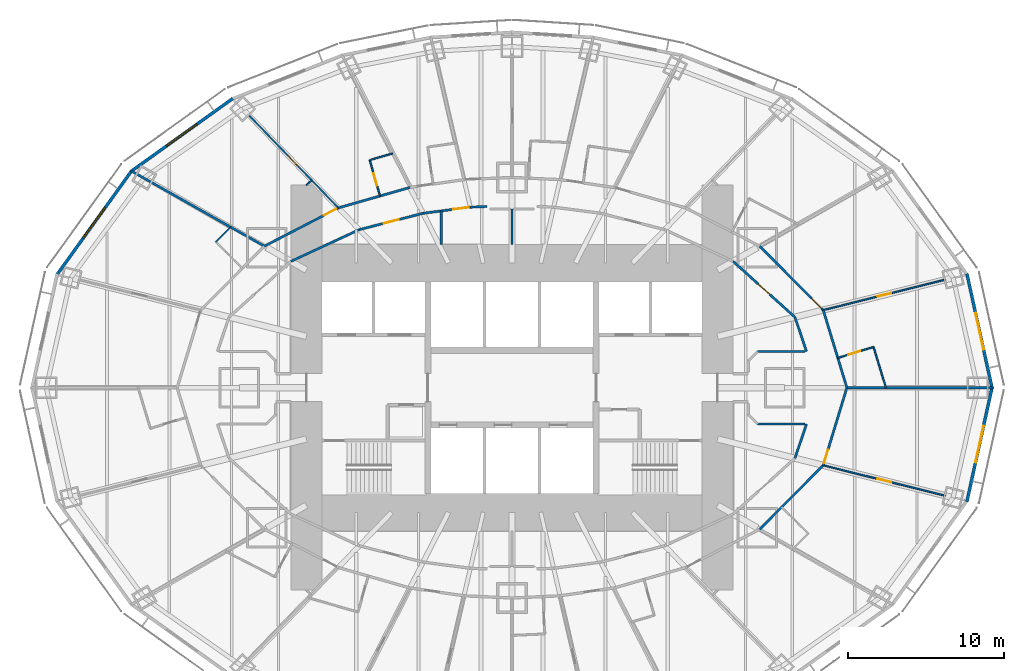
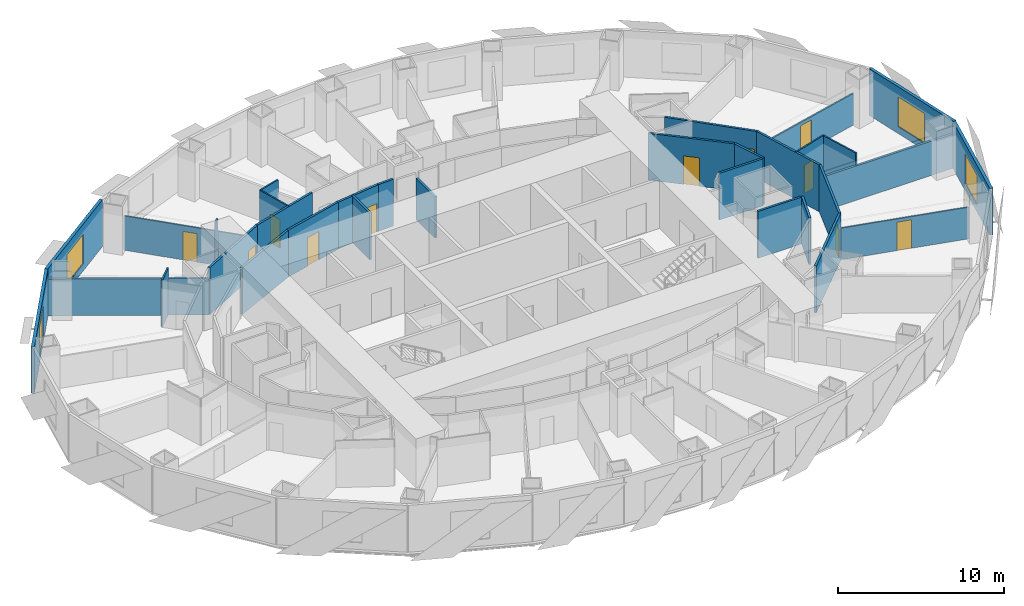
# One storey, part 8 of 15: 32 walls, 11 doors, 4 windows, 15 openings.
"""IFC4 building model written with IfcOpenShell, lengths in metres."""

from ifc_helpers import new_model, si_unit, direction, frame, frame_2d, origin, place, context, subcontext, project, spatial, rectangle, extrude, material, layer, layer_set, type_object, element, fill, save


model = new_model("IFC4")

# Units and contexts
model_context = context("Model", 3, precision=1e-05, world=origin(), true_north=direction((0.0, 1.0)))
body_context = subcontext(model_context, "Body", "Model", "MODEL_VIEW")
ifc_project = project(units=[si_unit("LENGTHUNIT", "METRE"), si_unit("AREAUNIT", "SQUARE_METRE"), si_unit("VOLUMEUNIT", "CUBIC_METRE"), si_unit("PLANEANGLEUNIT", "RADIAN"), si_unit("MASSUNIT", "GRAM", prefix="KILO")], contexts=[model_context])

# Site, building, storey
site_placement = place(None, origin())
site = spatial("IfcSite", under=ifc_project, at=site_placement, CompositionType="ELEMENT")
building_placement = place(site_placement, origin())
building = spatial("IfcBuilding", under=site, at=building_placement, Name="Lantaw Convention Tower", CompositionType="ELEMENT")
storey_placement = place(building_placement, frame((0.0, 0.0, 51.39990234375)))
storey = spatial("IfcBuildingStorey", under=building, at=storey_placement, Name="L10", CompositionType="ELEMENT", Elevation=51.39990234375)

# Wall
ifc_material_1 = material(Name="Gypsum board on steel studs", Category="steel")
ifc_layer_1 = layer(ifc_material_1, 0.14990234375)
ifc_layer_set_1 = layer_set([ifc_layer_1], Name="Back of house wall 150")
wall_type_1 = type_object("IfcWallType", Name="Back of house wall 150", PredefinedType="PARTITIONING", material=ifc_layer_set_1)
wall_1_placement = place(storey_placement, frame((0.0, 9.199951171875, 0.0), z_axis=(0.0, 0.0, 1.0), x_axis=(0.0, 1.0, 0.0)))
element("IfcWall", 1, at=wall_1_placement, inside=storey, type_object=wall_type_1, Name="Back of house wall 150", PredefinedType="PARTITIONING", context=body_context, shape_type="SweptSolid", body=[
    extrude(rectangle(XDim=2.26513671875, YDim=0.14990234375, at=frame_2d((1.132568359375, 0.0))), origin(), (0.0, 0.0, 1.0), 3.043701171875),
])

# Wall, opening, door
ifc_material_2 = material(Name="Moisture resistant gypsum board on steel studs", Category="steel")
ifc_layer_2 = layer(ifc_material_2, 0.10009765625)
ifc_layer_set_2 = layer_set([ifc_layer_2], Name="Bathroom wall 100")
wall_type_2 = type_object("IfcWallType", Name="Bathroom wall 100", PredefinedType="PARTITIONING", material=ifc_layer_set_2)
wall_2_placement = place(storey_placement, frame((20.917236328125, 1.9130859375, 0.0), z_axis=(0.0, 0.0, 1.0), x_axis=(0.956591303063, 0.291432803411, 0.0)))
wall_2 = element("IfcWall", 2, at=wall_2_placement, inside=storey, type_object=wall_type_2, Name="Bathroom wall 100", PredefinedType="PARTITIONING", context=body_context, shape_type="SweptSolid", body=[
    extrude(rectangle(XDim=2.400146484375, YDim=0.10009765625, at=frame_2d((1.2001953125, 0.0))), origin(), (0.0, 0.0, 1.0), 3.4501953125),
])
opening_1_placement = place(wall_2_placement, frame((0.699951171875, 0.0, 0.0)))
opening_1 = element("IfcOpeningElement", 3, at=opening_1_placement, cuts=wall_2, Name="Opening L10.25", PredefinedType="OPENING", context=body_context, shape_type="SweptSolid", body=[
    extrude(rectangle(XDim=0.800048828125, YDim=2.10009765625, at=frame_2d((0.39990234375, 1.050048828125))), frame((0.0, 0.06005859375, 0.0), z_axis=(0.0, -1.0, 0.0), x_axis=(1.0, 0.0, 0.0)), (0.0, 0.0, 1.0), 0.1201171875),
])
ifc_material_3 = material(Name="Timber", Category="wood")
door_type_1 = type_object("IfcDoorType", Name="Bathroom door 800", OperationType="SINGLE_SWING_LEFT", PredefinedType="DOOR", material=ifc_material_3)
door_1_placement = place(opening_1_placement, origin())
door_1 = element("IfcDoor", 4, at=door_1_placement, inside=storey, type_object=door_type_1, Name="Bathroom door", OperationType="SINGLE_SWING_LEFT", OverallHeight=2.10009765625, OverallWidth=0.800048828125, PredefinedType="DOOR", context=body_context, shape_type="SweptSolid", body=[
    extrude(rectangle(XDim=0.800048828125, YDim=2.10009765625, at=frame_2d((0.39990234375, 1.050048828125))), frame((0.0, 0.02490234375, 0.0), z_axis=(0.0, -1.0, 0.0), x_axis=(1.0, 0.0, 0.0)), (0.0, 0.0, 1.0), 0.050048828125),
])
fill(opening_1, door_1)

# Wall
wall_3_placement = place(storey_placement, frame((23.213134765625, 2.612548828125, 0.0), z_axis=(0.0, 0.0, 1.0), x_axis=(0.291339473488, -0.956619731757, 0.0)))
element("IfcWall", 5, at=wall_3_placement, inside=storey, type_object=wall_type_2, Name="Bathroom wall 100", PredefinedType="PARTITIONING", context=body_context, shape_type="SweptSolid", body=[
    extrude(rectangle(XDim=2.73095703125, YDim=0.10009765625, at=frame_2d((1.365478515625, 0.0))), origin(), (0.0, 0.0, 1.0), 3.4501953125),
])

# Wall, opening, door
wall_4_placement = place(storey_placement, frame((-8.474365234375, 12.30810546875, 0.0), z_axis=(0.0, 0.0, 1.0), x_axis=(-0.27497640313, 0.961450975205, 0.0)))
wall_4 = element("IfcWall", 6, at=wall_4_placement, inside=storey, type_object=wall_type_2, Name="Bathroom wall 100", PredefinedType="PARTITIONING", context=body_context, shape_type="SweptSolid", body=[
    extrude(rectangle(XDim=2.39990234375, YDim=0.10009765625, at=frame_2d((1.199951171875, 0.0))), origin(), (0.0, 0.0, 1.0), 3.4501953125),
])
opening_2_placement = place(wall_4_placement, frame((0.699951171875, 0.0, 0.0)))
opening_2 = element("IfcOpeningElement", 7, at=opening_2_placement, cuts=wall_4, Name="Opening L10.38", PredefinedType="OPENING", context=body_context, shape_type="SweptSolid", body=[
    extrude(rectangle(XDim=0.800048828125, YDim=2.10009765625, at=frame_2d((0.39990234375, 1.050048828125))), frame((0.0, 0.06005859375, 0.0), z_axis=(0.0, -1.0, 0.0), x_axis=(1.0, 0.0, 0.0)), (0.0, 0.0, 1.0), 0.1201171875),
])
door_2_placement = place(opening_2_placement, origin())
door_2 = element("IfcDoor", 8, at=door_2_placement, inside=storey, type_object=door_type_1, Name="Bathroom door", OperationType="SINGLE_SWING_LEFT", OverallHeight=2.10009765625, OverallWidth=0.800048828125, PredefinedType="DOOR", context=body_context, shape_type="SweptSolid", body=[
    extrude(rectangle(XDim=0.800048828125, YDim=2.10009765625, at=frame_2d((0.39990234375, 1.050048828125))), frame((0.0, 0.02490234375, 0.0), z_axis=(0.0, -1.0, 0.0), x_axis=(1.0, 0.0, 0.0)), (0.0, 0.0, 1.0), 0.050048828125),
])
fill(opening_2, door_2)

# Walls
wall_5_placement = place(storey_placement, frame((-9.13427734375, 14.615478515625, 0.0), z_axis=(0.0, 0.0, 1.0), x_axis=(0.96145775668, 0.274952690695, 0.0)))
element("IfcWall", 9, at=wall_5_placement, inside=storey, type_object=wall_type_2, Name="Bathroom wall 100", PredefinedType="PARTITIONING", context=body_context, shape_type="SweptSolid", body=[
    extrude(rectangle(XDim=1.53173828125, YDim=0.10009765625, at=frame_2d((0.765869140625, 0.0))), origin(), (0.0, 0.0, 1.0), 3.4501953125),
])
wall_6_placement = place(storey_placement, frame((-19.01318359375, 9.3603515625, 0.0), z_axis=(0.0, 0.0, 1.0), x_axis=(0.7051187611, 0.709089227633, 0.0)))
element("IfcWall", 10, at=wall_6_placement, inside=storey, type_object=wall_type_2, Name="Bathroom wall 100", PredefinedType="PARTITIONING", context=body_context, shape_type="SweptSolid", body=[
    extrude(rectangle(XDim=1.352783203125, YDim=0.10009765625, at=frame_2d((0.67626953125, 0.0))), origin(), (0.0, 0.0, 1.0), 3.4501953125),
])
ifc_material_4 = material(Name="Gypsum board on steel studs, fire rated", Category="steel")
ifc_layer_3 = layer(ifc_material_4, 0.14990234375)
ifc_layer_set_3 = layer_set([ifc_layer_3], Name="Corridor wall 150 EI 60")
wall_type_3 = type_object("IfcWallType", Name="Corridor wall 150 EI 60", PredefinedType="PARTITIONING", material=ifc_layer_set_3)
wall_7_placement = place(storey_placement, frame((21.5, 0.0, 0.0), z_axis=(0.0, 0.0, 1.0), x_axis=(-0.291383581394, 0.95660629754, 0.0)))
element("IfcWall", 11, at=wall_7_placement, inside=storey, type_object=wall_type_3, Name="Corridor wall 150", PredefinedType="PARTITIONING", context=body_context, shape_type="SweptSolid", body=[
    extrude(rectangle(XDim=5.208251953125, YDim=0.14990234375, at=frame_2d((2.60400390625, 0.0))), origin(), (0.0, 0.0, 1.0), 3.4501953125),
])

# Wall, opening, door
wall_8_placement = place(storey_placement, frame((19.982421875, 4.982177734375, 0.0), z_axis=(0.0, 0.0, 1.0), x_axis=(-0.705121546414, 0.709086457904, 0.0)))
wall_8 = element("IfcWall", 12, at=wall_8_placement, inside=storey, type_object=wall_type_3, Name="Corridor wall 150", PredefinedType="PARTITIONING", context=body_context, shape_type="SweptSolid", body=[
    extrude(rectangle(XDim=5.7880859375, YDim=0.14990234375, at=frame_2d((2.89404296875, 0.0))), origin(), (0.0, 0.0, 1.0), 3.4501953125),
])
opening_3_placement = place(wall_8_placement, frame((0.14990234375, 0.0, 0.0)))
opening_3 = element("IfcOpeningElement", 13, at=opening_3_placement, cuts=wall_8, Name="Opening L10.27", PredefinedType="OPENING", context=body_context, shape_type="SweptSolid", body=[
    extrude(rectangle(XDim=0.89990234375, YDim=2.10009765625, at=frame_2d((0.449951171875, 1.050048828125))), frame((0.0, 0.0849609375, 0.0), z_axis=(0.0, -1.0, 0.0), x_axis=(1.0, 0.0, 0.0)), (0.0, 0.0, 1.0), 0.169921875),
])
ifc_material_5 = material(Name="Steel, fire rated", Category="steel")
door_type_2 = type_object("IfcDoorType", Name="Guest room entrance door FD30S", OperationType="SINGLE_SWING_LEFT", PredefinedType="DOOR", material=ifc_material_5)
door_3_placement = place(opening_3_placement, origin())
door_3 = element("IfcDoor", 14, at=door_3_placement, inside=storey, type_object=door_type_2, Name="Suite entrance door", OperationType="SINGLE_SWING_LEFT", OverallHeight=2.10009765625, OverallWidth=0.89990234375, PredefinedType="DOOR", context=body_context, shape_type="SweptSolid", body=[
    extrude(rectangle(XDim=0.89990234375, YDim=2.10009765625, at=frame_2d((0.449951171875, 1.050048828125))), frame((0.0, 0.02490234375, 0.0), z_axis=(0.0, -1.0, 0.0), x_axis=(1.0, 0.0, 0.0)), (0.0, 0.0, 1.0), 0.050048828125),
])
fill(opening_3, door_3)

# Wall
wall_9_placement = place(storey_placement, frame((-6.551513671875, 12.85791015625, 0.0), z_axis=(0.0, 0.0, 1.0), x_axis=(-0.961464178199, -0.27493023486, 0.0)))
element("IfcWall", 15, at=wall_9_placement, inside=storey, type_object=wall_type_3, Name="Corridor wall 150", PredefinedType="PARTITIONING", context=body_context, shape_type="SweptSolid", body=[
    extrude(rectangle(XDim=4.7802734375, YDim=0.14990234375, at=frame_2d((2.39013671875, 0.0))), origin(), (0.0, 0.0, 1.0), 3.4501953125),
])

# Wall, opening, door
wall_10_placement = place(storey_placement, frame((-11.1474609375, 11.543701171875, 0.0), z_axis=(0.0, 0.0, 1.0), x_axis=(-0.888333171507, -0.459199495209, 0.0)))
wall_10 = element("IfcWall", 16, at=wall_10_placement, inside=storey, type_object=wall_type_3, Name="Corridor wall 150", PredefinedType="PARTITIONING", context=body_context, shape_type="SweptSolid", body=[
    extrude(rectangle(XDim=5.351318359375, YDim=0.14990234375, at=frame_2d((2.67578125, 0.0))), origin(), (0.0, 0.0, 1.0), 3.4501953125),
])
opening_4_placement = place(wall_10_placement, frame((0.14990234375, 0.0, 0.0)))
opening_4 = element("IfcOpeningElement", 17, at=opening_4_placement, cuts=wall_10, Name="Opening L10.40", PredefinedType="OPENING", context=body_context, shape_type="SweptSolid", body=[
    extrude(rectangle(XDim=0.89990234375, YDim=2.10009765625, at=frame_2d((0.449951171875, 1.050048828125))), frame((0.0, 0.0849609375, 0.0), z_axis=(0.0, -1.0, 0.0), x_axis=(1.0, 0.0, 0.0)), (0.0, 0.0, 1.0), 0.169921875),
])
door_4_placement = place(opening_4_placement, origin())
door_4 = element("IfcDoor", 18, at=door_4_placement, inside=storey, type_object=door_type_2, Name="Suite entrance door", OperationType="SINGLE_SWING_LEFT", OverallHeight=2.10009765625, OverallWidth=0.89990234375, PredefinedType="DOOR", context=body_context, shape_type="SweptSolid", body=[
    extrude(rectangle(XDim=0.89990234375, YDim=2.10009765625, at=frame_2d((0.449951171875, 1.050048828125))), frame((0.0, 0.02490234375, 0.0), z_axis=(0.0, -1.0, 0.0), x_axis=(1.0, 0.0, 0.0)), (0.0, 0.0, 1.0), 0.050048828125),
])
fill(opening_4, door_4)

# Wall
wall_11_placement = place(storey_placement, frame((15.901123046875, -9.08642578125, 0.0), z_axis=(0.0, 0.0, 1.0), x_axis=(0.705121546414, 0.709086457904, 0.0)))
element("IfcWall", 19, at=wall_11_placement, inside=storey, type_object=wall_type_3, Name="Corridor wall 150", PredefinedType="PARTITIONING", context=body_context, shape_type="SweptSolid", body=[
    extrude(rectangle(XDim=5.7880859375, YDim=0.14990234375, at=frame_2d((2.89404296875, 0.0))), origin(), (0.0, 0.0, 1.0), 3.4501953125),
])

# Wall, opening, door
wall_12_placement = place(storey_placement, frame((19.982421875, -4.982177734375, 0.0), z_axis=(0.0, 0.0, 1.0), x_axis=(0.291383581394, 0.95660629754, 0.0)))
wall_12 = element("IfcWall", 20, at=wall_12_placement, inside=storey, type_object=wall_type_3, Name="Corridor wall 150", PredefinedType="PARTITIONING", context=body_context, shape_type="SweptSolid", body=[
    extrude(rectangle(XDim=5.208251953125, YDim=0.14990234375, at=frame_2d((2.60400390625, 0.0))), origin(), (0.0, 0.0, 1.0), 3.4501953125),
])
opening_5_placement = place(wall_12_placement, frame((0.14990234375, 0.0, 0.0)))
opening_5 = element("IfcOpeningElement", 21, at=opening_5_placement, cuts=wall_12, Name="Opening L10.61", PredefinedType="OPENING", context=body_context, shape_type="SweptSolid", body=[
    extrude(rectangle(XDim=0.89990234375, YDim=2.10009765625, at=frame_2d((0.449951171875, 1.050048828125))), frame((0.0, 0.0849609375, 0.0), z_axis=(0.0, -1.0, 0.0), x_axis=(1.0, 0.0, 0.0)), (0.0, 0.0, 1.0), 0.169921875),
])
door_5_placement = place(opening_5_placement, origin())
door_5 = element("IfcDoor", 22, at=door_5_placement, inside=storey, type_object=door_type_2, Name="Suite entrance door", OperationType="SINGLE_SWING_LEFT", OverallHeight=2.10009765625, OverallWidth=0.89990234375, PredefinedType="DOOR", context=body_context, shape_type="SweptSolid", body=[
    extrude(rectangle(XDim=0.89990234375, YDim=2.10009765625, at=frame_2d((0.449951171875, 1.050048828125))), frame((0.0, 0.02490234375, 0.0), z_axis=(0.0, -1.0, 0.0), x_axis=(1.0, 0.0, 0.0)), (0.0, 0.0, 1.0), 0.050048828125),
])
fill(opening_5, door_5)

wall_13_placement = place(storey_placement, frame((18.164306640625, 4.52880859375, 0.0), z_axis=(0.0, 0.0, 1.0), x_axis=(-0.742194222, 0.670184852731, 0.0)))
wall_13 = element("IfcWall", 23, at=wall_13_placement, inside=storey, type_object=wall_type_3, Name="Corridor wall 150", PredefinedType="PARTITIONING", context=body_context, shape_type="SweptSolid", body=[
    extrude(rectangle(XDim=5.3466796875, YDim=0.14990234375, at=frame_2d((2.67333984375, 0.0))), origin(), (0.0, 0.0, 1.0), 3.4501953125),
])
opening_6_placement = place(wall_13_placement, frame((2.17333984375, 0.0, 0.0)))
opening_6 = element("IfcOpeningElement", 24, at=opening_6_placement, cuts=wall_13, Name="Opening L10.16", PredefinedType="OPENING", context=body_context, shape_type="SweptSolid", body=[
    extrude(rectangle(XDim=1.0, YDim=2.10009765625, at=frame_2d((0.5, 1.050048828125))), frame((0.0, 0.0849609375, 0.0), z_axis=(0.0, -1.0, 0.0), x_axis=(1.0, 0.0, 0.0)), (0.0, 0.0, 1.0), 0.169921875),
])
door_type_3 = type_object("IfcDoorType", Name="Service door 1000 FD30", OperationType="SINGLE_SWING_LEFT", PredefinedType="DOOR", material=ifc_material_5)
door_6_placement = place(opening_6_placement, origin())
door_6 = element("IfcDoor", 25, at=door_6_placement, inside=storey, type_object=door_type_3, Name="Linen store door", OperationType="SINGLE_SWING_LEFT", OverallHeight=2.10009765625, OverallWidth=1.0, PredefinedType="DOOR", context=body_context, shape_type="SweptSolid", body=[
    extrude(rectangle(XDim=1.0, YDim=2.10009765625, at=frame_2d((0.5, 1.050048828125))), frame((0.0, 0.02490234375, 0.0), z_axis=(0.0, -1.0, 0.0), x_axis=(1.0, 0.0, 0.0)), (0.0, 0.0, 1.0), 0.050048828125),
])
fill(opening_6, door_6)

wall_14_placement = place(storey_placement, frame((-2.676025390625, 11.591552734375, 0.0), z_axis=(0.0, 0.0, 1.0), x_axis=(-0.99168929531, -0.128655903743, 0.0)))
wall_14 = element("IfcWall", 26, at=wall_14_placement, inside=storey, type_object=wall_type_3, Name="Corridor wall 150", PredefinedType="PARTITIONING", context=body_context, shape_type="SweptSolid", body=[
    extrude(rectangle(XDim=3.05517578125, YDim=0.14990234375, at=frame_2d((1.527587890625, 0.0))), origin(), (0.0, 0.0, 1.0), 3.4501953125),
])
opening_7_placement = place(wall_14_placement, frame((0.10009765625, 0.0, 0.0)))
opening_7 = element("IfcOpeningElement", 27, at=opening_7_placement, cuts=wall_14, Name="Opening L10.19", PredefinedType="OPENING", context=body_context, shape_type="SweptSolid", body=[
    extrude(rectangle(XDim=1.0, YDim=2.10009765625, at=frame_2d((0.5, 1.050048828125))), frame((0.0, 0.0849609375, 0.0), z_axis=(0.0, -1.0, 0.0), x_axis=(1.0, 0.0, 0.0)), (0.0, 0.0, 1.0), 0.169921875),
])
door_type_4 = type_object("IfcDoorType", Name="Accessible WC door 1000 FD30", OperationType="SINGLE_SWING_LEFT", PredefinedType="DOOR", material=ifc_material_5)
door_7_placement = place(opening_7_placement, origin())
door_7 = element("IfcDoor", 28, at=door_7_placement, inside=storey, type_object=door_type_4, Name="Accessible WC door", OperationType="SINGLE_SWING_LEFT", OverallHeight=2.10009765625, OverallWidth=1.0, PredefinedType="DOOR", context=body_context, shape_type="SweptSolid", body=[
    extrude(rectangle(XDim=1.0, YDim=2.10009765625, at=frame_2d((0.5, 1.050048828125))), frame((0.0, 0.02490234375, 0.0), z_axis=(0.0, -1.0, 0.0), x_axis=(1.0, 0.0, 0.0)), (0.0, 0.0, 1.0), 0.050048828125),
])
fill(opening_7, door_7)

wall_15_placement = place(storey_placement, frame((-5.705810546875, 11.198486328125, 0.0), z_axis=(0.0, 0.0, 1.0), x_axis=(-0.968705891355, -0.248211393886, 0.0)))
wall_15 = element("IfcWall", 29, at=wall_15_placement, inside=storey, type_object=wall_type_3, Name="Corridor wall 150", PredefinedType="PARTITIONING", context=body_context, shape_type="SweptSolid", body=[
    extrude(rectangle(XDim=4.2275390625, YDim=0.14990234375, at=frame_2d((2.11376953125, 0.0))), origin(), (0.0, 0.0, 1.0), 3.4501953125),
])
opening_8_placement = place(wall_15_placement, frame((1.61376953125, 0.0, 0.0)))
opening_8 = element("IfcOpeningElement", 30, at=opening_8_placement, cuts=wall_15, Name="Opening L10.20", PredefinedType="OPENING", context=body_context, shape_type="SweptSolid", body=[
    extrude(rectangle(XDim=1.0, YDim=2.10009765625, at=frame_2d((0.5, 1.050048828125))), frame((0.0, 0.0849609375, 0.0), z_axis=(0.0, -1.0, 0.0), x_axis=(1.0, 0.0, 0.0)), (0.0, 0.0, 1.0), 0.169921875),
])
door_8_placement = place(opening_8_placement, origin())
door_8 = element("IfcDoor", 31, at=door_8_placement, inside=storey, type_object=door_type_3, Name="Housekeeping room door", OperationType="SINGLE_SWING_LEFT", OverallHeight=2.10009765625, OverallWidth=1.0, PredefinedType="DOOR", context=body_context, shape_type="SweptSolid", body=[
    extrude(rectangle(XDim=1.0, YDim=2.10009765625, at=frame_2d((0.5, 1.050048828125))), frame((0.0, 0.02490234375, 0.0), z_axis=(0.0, -1.0, 0.0), x_axis=(1.0, 0.0, 0.0)), (0.0, 0.0, 1.0), 0.050048828125),
])
fill(opening_8, door_8)

# Walls
wall_16_placement = place(storey_placement, frame((-9.801025390625, 10.149169921875, 0.0), z_axis=(0.0, 0.0, 1.0), x_axis=(-0.907279653965, -0.420527798727, 0.0)))
element("IfcWall", 32, at=wall_16_placement, inside=storey, type_object=wall_type_3, Name="Corridor wall 150", PredefinedType="PARTITIONING", context=body_context, shape_type="SweptSolid", body=[
    extrude(rectangle(XDim=4.84423828125, YDim=0.14990234375, at=frame_2d((2.422119140625, 0.0))), origin(), (0.0, 0.0, 1.0), 3.4501953125),
])
wall_17_placement = place(storey_placement, frame((-1.598876953125, 11.63525390625, 0.0), z_axis=(0.0, 0.0, 1.0), x_axis=(-0.999178004727, -0.040537820228, 0.0)))
element("IfcWall", 33, at=wall_17_placement, inside=storey, type_object=wall_type_3, Name="Corridor wall 150", PredefinedType="PARTITIONING", context=body_context, shape_type="SweptSolid", body=[
    extrude(rectangle(XDim=1.078125, YDim=0.14990234375, at=frame_2d((0.5390625, 0.0))), origin(), (0.0, 0.0, 1.0), 3.4501953125),
])
for number, where, z_axis, x_axis, name in (
    (34, (18.908203125, 2.3349609375, 0.0), (0.0, 0.0, 1.0), (-0.321124194945, 0.947037090837, 0.0), "Corridor wall 150"),
    (35, (18.164306640625, -4.52880859375, 0.0), (0.0, 0.0, 1.0), (0.321124194945, 0.947037090837, 0.0), "Corridor wall 150"),
):
    element("IfcWall", number, at=place(storey_placement, frame(where, z_axis=z_axis, x_axis=x_axis)), inside=storey, type_object=wall_type_3, Name=name, PredefinedType="PARTITIONING", context=body_context, shape_type="SweptSolid", body=[
        extrude(rectangle(XDim=2.316650390625, YDim=0.14990234375, at=frame_2d((1.158203125, 0.0))), origin(), (0.0, 0.0, 1.0), 3.4501953125),
    ])
for number, where, z_axis, x_axis, name in (
    (36, (15.775390625, 2.324951171875, 0.0), (0.0, 0.0, 1.0), (1.0, 0.0, 0.0), "Corridor wall 150"),
    (37, (18.80078125, -2.324951171875, 0.0), (0.0, 0.0, 1.0), (-1.0, 0.0, 0.0), "Corridor wall 150"),
):
    element("IfcWall", number, at=place(storey_placement, frame(where, z_axis=z_axis, x_axis=x_axis)), inside=storey, type_object=wall_type_3, Name=name, PredefinedType="PARTITIONING", context=body_context, shape_type="SweptSolid", body=[
        extrude(rectangle(XDim=3.025390625, YDim=0.14990234375, at=frame_2d((1.5126953125, 0.0))), origin(), (0.0, 0.0, 1.0), 3.4501953125),
    ])

# Wall, opening, window
ifc_material_6 = material(Name="Insulated aluminium panel on steel frame", Category="steel")
ifc_layer_4 = layer(ifc_material_6, 0.199951171875)
ifc_layer_set_4 = layer_set([ifc_layer_4], Name="External wall 200")
wall_type_4 = type_object("IfcWallType", Name="External wall 200", PredefinedType="SOLIDWALL", material=ifc_layer_set_4)
wall_18_placement = place(storey_placement, frame((30.83544921875, -0.06689453125, 0.0), z_axis=(0.0, 0.0, 1.0), x_axis=(-0.215238065514, 0.976561608478, 0.0)))
wall_18 = element("IfcWall", 38, at=wall_18_placement, inside=storey, type_object=wall_type_4, Name="Facade panel wall", PredefinedType="SOLIDWALL", context=body_context, shape_type="SweptSolid", body=[
    extrude(rectangle(XDim=7.562255859375, YDim=0.199951171875, at=frame_2d((3.78125, 0.0))), origin(), (0.0, 0.0, 1.0), 3.4501953125),
])
opening_9_placement = place(wall_18_placement, frame((2.581298828125, 0.0, 0.5)))
opening_9 = element("IfcOpeningElement", 39, at=opening_9_placement, cuts=wall_18, Name="Opening W1", PredefinedType="OPENING", context=body_context, shape_type="SweptSolid", body=[
    extrude(rectangle(XDim=2.39990234375, YDim=2.199951171875, at=frame_2d((1.199951171875, 1.10009765625))), frame((0.0, 0.10986328125, 0.0), z_axis=(0.0, -1.0, 0.0), x_axis=(1.0, 0.0, 0.0)), (0.0, 0.0, 1.0), 0.219970703125),
])
ifc_material_7 = material(Name="Aluminium frame, clear insulating glass", Category="aluminium")
window_type = type_object("IfcWindowType", Name="Guest room window 2400x2200", PartitioningType="SINGLE_PANEL", PredefinedType="WINDOW", material=ifc_material_7)
window_1_placement = place(opening_9_placement, origin())
window_1 = element("IfcWindow", 40, at=window_1_placement, inside=storey, type_object=window_type, Name="Guest room window", OverallHeight=2.199951171875, OverallWidth=2.39990234375, PartitioningType="SINGLE_PANEL", PredefinedType="WINDOW", context=body_context, shape_type="SweptSolid", body=[
    extrude(rectangle(XDim=2.39990234375, YDim=2.199951171875, at=frame_2d((1.199951171875, 1.10009765625))), frame((0.0, 0.030029296875, 0.0), z_axis=(0.0, -1.0, 0.0), x_axis=(1.0, 0.0, 0.0)), (0.0, 0.0, 1.0), 0.06005859375),
])
fill(opening_9, window_1)

wall_19_placement = place(storey_placement, frame((-17.9287109375, 18.57177734375, 0.0), z_axis=(0.0, 0.0, 1.0), x_axis=(-0.812791321576, -0.582554948112, 0.0)))
wall_19 = element("IfcWall", 41, at=wall_19_placement, inside=storey, type_object=wall_type_4, Name="Facade panel wall", PredefinedType="SOLIDWALL", context=body_context, shape_type="SweptSolid", body=[
    extrude(rectangle(XDim=8.063232421875, YDim=0.199951171875, at=frame_2d((4.03173828125, 0.0))), origin(), (0.0, 0.0, 1.0), 3.4501953125),
])
opening_10_placement = place(wall_19_placement, frame((2.83154296875, 0.0, 0.5)))
opening_10 = element("IfcOpeningElement", 42, at=opening_10_placement, cuts=wall_19, Name="Opening W1", PredefinedType="OPENING", context=body_context, shape_type="SweptSolid", body=[
    extrude(rectangle(XDim=2.39990234375, YDim=2.199951171875, at=frame_2d((1.199951171875, 1.10009765625))), frame((0.0, 0.10986328125, 0.0), z_axis=(0.0, -1.0, 0.0), x_axis=(1.0, 0.0, 0.0)), (0.0, 0.0, 1.0), 0.219970703125),
])
window_2_placement = place(opening_10_placement, origin())
window_2 = element("IfcWindow", 43, at=window_2_placement, inside=storey, type_object=window_type, Name="Guest room window", OverallHeight=2.199951171875, OverallWidth=2.39990234375, PartitioningType="SINGLE_PANEL", PredefinedType="WINDOW", context=body_context, shape_type="SweptSolid", body=[
    extrude(rectangle(XDim=2.39990234375, YDim=2.199951171875, at=frame_2d((1.199951171875, 1.10009765625))), frame((0.0, 0.030029296875, 0.0), z_axis=(0.0, -1.0, 0.0), x_axis=(1.0, 0.0, 0.0)), (0.0, 0.0, 1.0), 0.06005859375),
])
fill(opening_10, window_2)

wall_20_placement = place(storey_placement, frame((-24.400390625, 13.95654296875, 0.0), z_axis=(0.0, 0.0, 1.0), x_axis=(-0.583937613703, -0.811798536155, 0.0)))
wall_20 = element("IfcWall", 44, at=wall_20_placement, inside=storey, type_object=wall_type_4, Name="Facade panel wall", PredefinedType="SOLIDWALL", context=body_context, shape_type="SweptSolid", body=[
    extrude(rectangle(XDim=8.322998046875, YDim=0.199951171875, at=frame_2d((4.16162109375, 0.0))), origin(), (0.0, 0.0, 1.0), 3.4501953125),
])
opening_11_placement = place(wall_20_placement, frame((2.96142578125, 0.0, 0.5)))
opening_11 = element("IfcOpeningElement", 45, at=opening_11_placement, cuts=wall_20, Name="Opening W1", PredefinedType="OPENING", context=body_context, shape_type="SweptSolid", body=[
    extrude(rectangle(XDim=2.39990234375, YDim=2.199951171875, at=frame_2d((1.199951171875, 1.10009765625))), frame((0.0, 0.10986328125, 0.0), z_axis=(0.0, -1.0, 0.0), x_axis=(1.0, 0.0, 0.0)), (0.0, 0.0, 1.0), 0.219970703125),
])
window_3_placement = place(opening_11_placement, origin())
window_3 = element("IfcWindow", 46, at=window_3_placement, inside=storey, type_object=window_type, Name="Guest room window", OverallHeight=2.199951171875, OverallWidth=2.39990234375, PartitioningType="SINGLE_PANEL", PredefinedType="WINDOW", context=body_context, shape_type="SweptSolid", body=[
    extrude(rectangle(XDim=2.39990234375, YDim=2.199951171875, at=frame_2d((1.199951171875, 1.10009765625))), frame((0.0, 0.030029296875, 0.0), z_axis=(0.0, -1.0, 0.0), x_axis=(1.0, 0.0, 0.0)), (0.0, 0.0, 1.0), 0.06005859375),
])
fill(opening_11, window_3)

wall_21_placement = place(storey_placement, frame((29.207763671875, -7.318115234375, 0.0), z_axis=(0.0, 0.0, 1.0), x_axis=(0.215238065514, 0.976561608478, 0.0)))
wall_21 = element("IfcWall", 47, at=wall_21_placement, inside=storey, type_object=wall_type_4, Name="Facade panel wall", PredefinedType="SOLIDWALL", context=body_context, shape_type="SweptSolid", body=[
    extrude(rectangle(XDim=7.562255859375, YDim=0.199951171875, at=frame_2d((3.78125, 0.0))), origin(), (0.0, 0.0, 1.0), 3.4501953125),
])
opening_12_placement = place(wall_21_placement, frame((2.581298828125, 0.0, 0.5)))
opening_12 = element("IfcOpeningElement", 48, at=opening_12_placement, cuts=wall_21, Name="Opening W1", PredefinedType="OPENING", context=body_context, shape_type="SweptSolid", body=[
    extrude(rectangle(XDim=2.39990234375, YDim=2.199951171875, at=frame_2d((1.199951171875, 1.10009765625))), frame((0.0, 0.10986328125, 0.0), z_axis=(0.0, -1.0, 0.0), x_axis=(1.0, 0.0, 0.0)), (0.0, 0.0, 1.0), 0.219970703125),
])
window_4_placement = place(opening_12_placement, origin())
window_4 = element("IfcWindow", 49, at=window_4_placement, inside=storey, type_object=window_type, Name="Guest room window", OverallHeight=2.199951171875, OverallWidth=2.39990234375, PartitioningType="SINGLE_PANEL", PredefinedType="WINDOW", context=body_context, shape_type="SweptSolid", body=[
    extrude(rectangle(XDim=2.39990234375, YDim=2.199951171875, at=frame_2d((1.199951171875, 1.10009765625))), frame((0.0, 0.030029296875, 0.0), z_axis=(0.0, -1.0, 0.0), x_axis=(1.0, 0.0, 0.0)), (0.0, 0.0, 1.0), 0.06005859375),
])
fill(opening_12, window_4)

# Walls
ifc_material_8 = material(Name="Gypsum board on steel studs, acoustic", Category="steel")
ifc_layer_5 = layer(ifc_material_8, 0.14990234375)
ifc_layer_set_5 = layer_set([ifc_layer_5], Name="Guest room party wall 150")
wall_type_5 = type_object("IfcWallType", Name="Guest room party wall 150", PredefinedType="PARTITIONING", material=ifc_layer_set_5)
wall_22_placement = place(storey_placement, frame((30.82080078125, 0.0, 0.0), z_axis=(0.0, 0.0, 1.0), x_axis=(-1.0, 0.0, 0.0)))
element("IfcWall", 50, at=wall_22_placement, inside=storey, type_object=wall_type_5, Name="Guest room party wall 150", PredefinedType="PARTITIONING", context=body_context, shape_type="SweptSolid", body=[
    extrude(rectangle(XDim=9.32080078125, YDim=0.14990234375, at=frame_2d((4.660400390625, 0.0))), origin(), (0.0, 0.0, 1.0), 2.528076171875),
])
wall_23_placement = place(storey_placement, frame((-24.434814453125, 13.90869140625, 0.0), z_axis=(0.0, 0.0, 1.0), x_axis=(0.870612006791, -0.491970256856, 0.0)))
element("IfcWall", 51, at=wall_23_placement, inside=storey, type_object=wall_type_5, Name="Guest room party wall 150", PredefinedType="PARTITIONING", context=body_context, shape_type="SweptSolid", body=[
    extrude(rectangle(XDim=9.802001953125, YDim=0.14990234375, at=frame_2d((4.90087890625, 0.0))), origin(), (0.0, 0.0, 1.0), 2.693115234375),
])
ifc_layer_6 = layer(ifc_material_8, 0.10009765625)
ifc_layer_set_6 = layer_set([ifc_layer_6], Name="Office partition 100")
wall_type_6 = type_object("IfcWallType", Name="Office partition 100", PredefinedType="PARTITIONING", material=ifc_layer_set_6)
wall_24_placement = place(storey_placement, frame((-13.199951171875, 13.0, 0.0), z_axis=(0.0, 0.0, 1.0), x_axis=(0.719347134512, 0.69465077562, 0.0)))
element("IfcWall", 52, at=wall_24_placement, inside=storey, type_object=wall_type_6, Name="Office partition 100", PredefinedType="PARTITIONING", context=body_context, shape_type="SweptSolid", body=[
    extrude(rectangle(XDim=0.464599609375, YDim=0.10009765625, at=frame_2d((0.232421875, 0.0))), origin(), (0.0, 0.0, 1.0), 3.4501953125),
])

# Wall, opening, door
ifc_layer_7 = layer(ifc_material_1, 0.10009765625)
ifc_layer_set_7 = layer_set([ifc_layer_7], Name="Suite partition 100")
wall_type_7 = type_object("IfcWallType", Name="Suite partition 100", PredefinedType="PARTITIONING", material=ifc_layer_set_7)
wall_25_placement = place(storey_placement, frame((27.832763671875, 6.939453125, 0.0), z_axis=(0.0, 0.0, 1.0), x_axis=(-0.97029673161, -0.24191786339, 0.0)))
wall_25 = element("IfcWall", 53, at=wall_25_placement, inside=storey, type_object=wall_type_7, Name="Suite partition 100", PredefinedType="PARTITIONING", context=body_context, shape_type="SweptSolid", body=[
    extrude(rectangle(XDim=8.090576171875, YDim=0.10009765625, at=frame_2d((4.04541015625, 0.0))), origin(), (0.0, 0.0, 1.0), 2.33251953125),
])
opening_13_placement = place(wall_25_placement, frame((3.59521484375, 0.0, 0.0)))
opening_13 = element("IfcOpeningElement", 54, at=opening_13_placement, cuts=wall_25, Name="Opening L10.26", PredefinedType="OPENING", context=body_context, shape_type="SweptSolid", body=[
    extrude(rectangle(XDim=0.89990234375, YDim=2.10009765625, at=frame_2d((0.449951171875, 1.050048828125))), frame((0.0, 0.06005859375, 0.0), z_axis=(0.0, -1.0, 0.0), x_axis=(1.0, 0.0, 0.0)), (0.0, 0.0, 1.0), 0.1201171875),
])
door_type_5 = type_object("IfcDoorType", Name="Suite door 900", OperationType="SINGLE_SWING_LEFT", PredefinedType="DOOR", material=ifc_material_3)
door_9_placement = place(opening_13_placement, origin())
door_9 = element("IfcDoor", 55, at=door_9_placement, inside=storey, type_object=door_type_5, Name="Bedroom door", OperationType="SINGLE_SWING_LEFT", OverallHeight=2.10009765625, OverallWidth=0.89990234375, PredefinedType="DOOR", context=body_context, shape_type="SweptSolid", body=[
    extrude(rectangle(XDim=0.89990234375, YDim=2.10009765625, at=frame_2d((0.449951171875, 1.050048828125))), frame((0.0, 0.02490234375, 0.0), z_axis=(0.0, -1.0, 0.0), x_axis=(1.0, 0.0, 0.0)), (0.0, 0.0, 1.0), 0.050048828125),
])
fill(opening_13, door_9)

wall_26_placement = place(storey_placement, frame((-16.943603515625, 17.54541015625, 0.0), z_axis=(0.0, 0.0, 1.0), x_axis=(0.694680670522, -0.71931826475, 0.0)))
wall_26 = element("IfcWall", 56, at=wall_26_placement, inside=storey, type_object=wall_type_7, Name="Suite partition 100", PredefinedType="PARTITIONING", context=body_context, shape_type="SweptSolid", body=[
    extrude(rectangle(XDim=8.343505859375, YDim=0.10009765625, at=frame_2d((4.171875, 0.0))), origin(), (0.0, 0.0, 1.0), 2.528076171875),
])
opening_14_placement = place(wall_26_placement, frame((3.7216796875, 0.0, 0.0)))
opening_14 = element("IfcOpeningElement", 57, at=opening_14_placement, cuts=wall_26, Name="Opening L10.39", PredefinedType="OPENING", context=body_context, shape_type="SweptSolid", body=[
    extrude(rectangle(XDim=0.89990234375, YDim=2.10009765625, at=frame_2d((0.449951171875, 1.050048828125))), frame((0.0, 0.06005859375, 0.0), z_axis=(0.0, -1.0, 0.0), x_axis=(1.0, 0.0, 0.0)), (0.0, 0.0, 1.0), 0.1201171875),
])
door_10_placement = place(opening_14_placement, origin())
door_10 = element("IfcDoor", 58, at=door_10_placement, inside=storey, type_object=door_type_5, Name="Bedroom door", OperationType="SINGLE_SWING_LEFT", OverallHeight=2.10009765625, OverallWidth=0.89990234375, PredefinedType="DOOR", context=body_context, shape_type="SweptSolid", body=[
    extrude(rectangle(XDim=0.89990234375, YDim=2.10009765625, at=frame_2d((0.449951171875, 1.050048828125))), frame((0.0, 0.02490234375, 0.0), z_axis=(0.0, -1.0, 0.0), x_axis=(1.0, 0.0, 0.0)), (0.0, 0.0, 1.0), 0.050048828125),
])
fill(opening_14, door_10)

wall_27_placement = place(storey_placement, frame((27.832763671875, -6.939453125, 0.0), z_axis=(0.0, 0.0, 1.0), x_axis=(-0.97029673161, 0.24191786339, 0.0)))
wall_27 = element("IfcWall", 59, at=wall_27_placement, inside=storey, type_object=wall_type_7, Name="Suite partition 100", PredefinedType="PARTITIONING", context=body_context, shape_type="SweptSolid", body=[
    extrude(rectangle(XDim=8.090576171875, YDim=0.10009765625, at=frame_2d((4.04541015625, 0.0))), origin(), (0.0, 0.0, 1.0), 2.33251953125),
])
opening_15_placement = place(wall_27_placement, frame((3.59521484375, 0.0, 0.0)))
opening_15 = element("IfcOpeningElement", 60, at=opening_15_placement, cuts=wall_27, Name="Opening L10.60", PredefinedType="OPENING", context=body_context, shape_type="SweptSolid", body=[
    extrude(rectangle(XDim=0.89990234375, YDim=2.10009765625, at=frame_2d((0.449951171875, 1.050048828125))), frame((0.0, 0.06005859375, 0.0), z_axis=(0.0, -1.0, 0.0), x_axis=(1.0, 0.0, 0.0)), (0.0, 0.0, 1.0), 0.1201171875),
])
door_11_placement = place(opening_15_placement, origin())
door_11 = element("IfcDoor", 61, at=door_11_placement, inside=storey, type_object=door_type_5, Name="Bedroom door", OperationType="SINGLE_SWING_LEFT", OverallHeight=2.10009765625, OverallWidth=0.89990234375, PredefinedType="DOOR", context=body_context, shape_type="SweptSolid", body=[
    extrude(rectangle(XDim=0.89990234375, YDim=2.10009765625, at=frame_2d((0.449951171875, 1.050048828125))), frame((0.0, 0.02490234375, 0.0), z_axis=(0.0, -1.0, 0.0), x_axis=(1.0, 0.0, 0.0)), (0.0, 0.0, 1.0), 0.050048828125),
])
fill(opening_15, door_11)

# Wall
ifc_material_9 = material(Name="Concrete blockwork", Category="masonry")
ifc_layer_8 = layer(ifc_material_9, 0.14990234375)
ifc_layer_set_8 = layer_set([ifc_layer_8], Name="WC wall 150")
wall_type_8 = type_object("IfcWallType", Name="WC wall 150", PredefinedType="SOLIDWALL", material=ifc_layer_set_8)
wall_28_placement = place(storey_placement, frame((-4.550048828125, 9.199951171875, 0.0), z_axis=(0.0, 0.0, 1.0), x_axis=(0.0, 1.0, 0.0)))
element("IfcWall", 62, at=wall_28_placement, inside=storey, type_object=wall_type_8, Name="WC wall 150", PredefinedType="SOLIDWALL", context=body_context, shape_type="SweptSolid", body=[
    extrude(rectangle(XDim=2.1484375, YDim=0.14990234375, at=frame_2d((1.07421875, 0.0))), origin(), (0.0, 0.0, 1.0), 3.4501953125),
])

save(model, "model.ifc")
